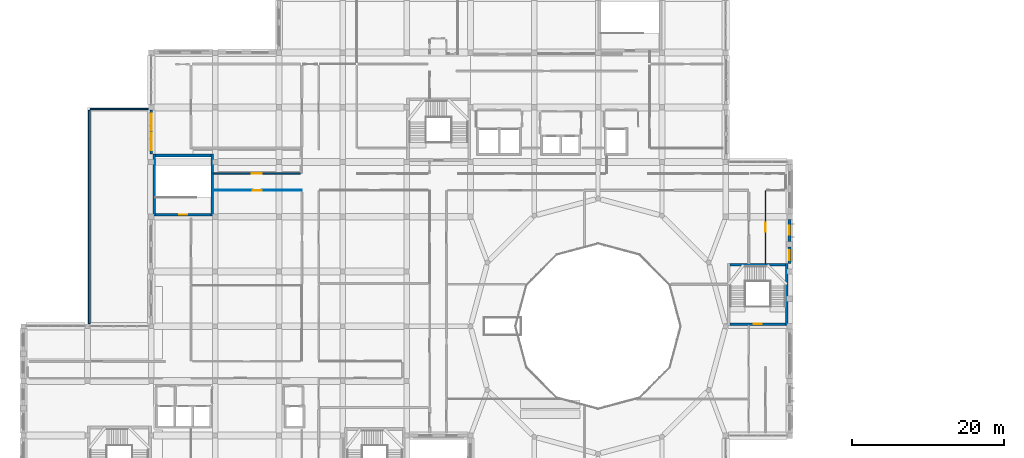
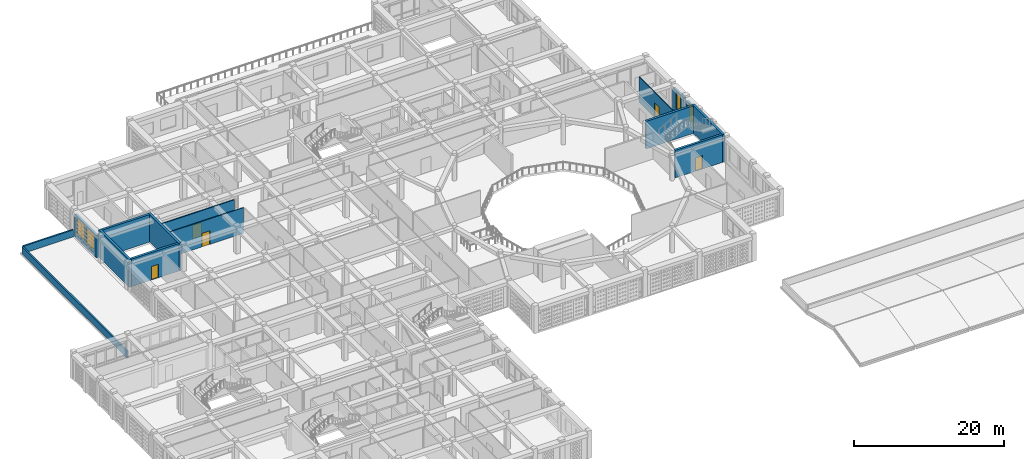
# One storey, part 46 of 79: 15 walls, 5 doors, 4 windows, 9 openings.
"""IFC4 building model written with IfcOpenShell, lengths in metres."""

from ifc_helpers import new_model, si_unit, derived_unit, direction, frame, frame_2d, origin, place, context, subcontext, project, spatial, rectangle, extrude, material, layer, layer_set, type_object, element, fill, save


model = new_model("IFC4")

# Units and contexts
model_context = context("Model", 3, precision=1e-05, world=origin(), true_north=direction((0.0, 1.0)))
body_context = subcontext(model_context, "Body", "Model", "MODEL_VIEW")
ifc_project = project(units=[si_unit("LENGTHUNIT", "METRE"), si_unit("AREAUNIT", "SQUARE_METRE"), si_unit("VOLUMEUNIT", "CUBIC_METRE"), si_unit("PLANEANGLEUNIT", "RADIAN"), si_unit("MASSUNIT", "GRAM", prefix="KILO"), derived_unit("THERMALTRANSMITTANCEUNIT", [(si_unit("POWERUNIT", "WATT"), 1), (si_unit("LENGTHUNIT", "METRE"), -2), (si_unit("THERMODYNAMICTEMPERATUREUNIT", "KELVIN"), -1)])], contexts=[model_context])

# Site, building, storey
site_placement = place(None, origin())
site = spatial("IfcSite", under=ifc_project, at=site_placement, CompositionType="ELEMENT")
building_placement = place(site_placement, origin())
building = spatial("IfcBuilding", under=site, at=building_placement, Name="Veybourne Emporium", CompositionType="ELEMENT")
storey_placement = place(building_placement, frame((0.0, 0.0, 18.89990234375)))
storey = spatial("IfcBuildingStorey", under=building, at=storey_placement, Name="L04", CompositionType="ELEMENT", Elevation=18.89990234375)

# Wall, openings, windows
ifc_material_1 = material(Name="Portland Limestone Ashlar", Category="masonry")
ifc_layer_1 = layer(ifc_material_1, 0.3798828125)
ifc_layer_set_1 = layer_set([ifc_layer_1], Name="Portland Limestone Ashlar")
wall_type_1 = type_object("IfcWallType", Name="ExtWall_EW-03", PredefinedType="SOLIDWALL", material=ifc_layer_set_1)
wall_1_placement = place(storey_placement, frame((16.800048828125, 73.070068359375, 0.0), z_axis=(0.0, 0.0, 1.0), x_axis=(0.0, 1.0, 0.0)))
wall_1 = element("IfcWall", 1, at=wall_1_placement, inside=storey, type_object=wall_type_1, Name="L04 Portland stone external wall 016", PredefinedType="SOLIDWALL", context=body_context, shape_type="SweptSolid", body=[
    extrude(rectangle(XDim=5.780029296875, YDim=0.3798828125, at=frame_2d((2.89013671875, 0.0))), origin(), (0.0, 0.0, 1.0), 3.630126953125),
])
opening_1_placement = place(wall_1_placement, frame((0.518310546875, 0.0, 0.75)))
opening_1 = element("IfcOpeningElement", 2, at=opening_1_placement, cuts=wall_1, Name="Opening W-54", PredefinedType="OPENING", context=body_context, shape_type="SweptSolid", body=[
    extrude(rectangle(XDim=2.199951171875, YDim=2.72998046875, at=frame_2d((1.10009765625, 1.364990234375))), frame((0.0, 0.2099609375, 0.0), z_axis=(0.0, -1.0, 0.0), x_axis=(1.0, 0.0, 0.0)), (0.0, 0.0, 1.0), 0.419921875),
])
opening_2_placement = place(wall_1_placement, frame((3.0615234375, 0.0, 0.75)))
opening_2 = element("IfcOpeningElement", 3, at=opening_2_placement, cuts=wall_1, Name="Opening W-55", PredefinedType="OPENING", context=body_context, shape_type="SweptSolid", body=[
    extrude(rectangle(XDim=2.199951171875, YDim=2.72998046875, at=frame_2d((1.10009765625, 1.364990234375))), frame((0.0, 0.2099609375, 0.0), z_axis=(0.0, -1.0, 0.0), x_axis=(1.0, 0.0, 0.0)), (0.0, 0.0, 1.0), 0.419921875),
])
ifc_material_2 = material(Name="Low-E Triple Glazing", Category="glass")
window_type_1 = type_object("IfcWindowType", Name="Win_W-54", PartitioningType="TRIPLE_PANEL_VERTICAL", PredefinedType="WINDOW", material=ifc_material_2)
window_1_placement = place(opening_1_placement, origin())
window_1 = element("IfcWindow", 4, at=window_1_placement, inside=storey, type_object=window_type_1, Name="L04 tripartite bronze casement window W-54 (16.1)", OverallHeight=2.72998046875, OverallWidth=2.199951171875, PartitioningType="TRIPLE_PANEL_VERTICAL", PredefinedType="WINDOW", context=body_context, shape_type="SweptSolid", body=[
    extrude(rectangle(XDim=2.199951171875, YDim=2.72998046875, at=frame_2d((1.10009765625, 1.364990234375))), frame((0.0, 0.030029296875, 0.0), z_axis=(0.0, -1.0, 0.0), x_axis=(1.0, 0.0, 0.0)), (0.0, 0.0, 1.0), 0.06005859375),
])
fill(opening_1, window_1)
window_type_2 = type_object("IfcWindowType", Name="Win_W-55", PartitioningType="TRIPLE_PANEL_VERTICAL", PredefinedType="WINDOW", material=ifc_material_2)
window_2_placement = place(opening_2_placement, origin())
window_2 = element("IfcWindow", 5, at=window_2_placement, inside=storey, type_object=window_type_2, Name="L04 tripartite bronze casement window W-55 (16.2)", OverallHeight=2.72998046875, OverallWidth=2.199951171875, PartitioningType="TRIPLE_PANEL_VERTICAL", PredefinedType="WINDOW", context=body_context, shape_type="SweptSolid", body=[
    extrude(rectangle(XDim=2.199951171875, YDim=2.72998046875, at=frame_2d((1.10009765625, 1.364990234375))), frame((0.0, 0.030029296875, 0.0), z_axis=(0.0, -1.0, 0.0), x_axis=(1.0, 0.0, 0.0)), (0.0, 0.0, 1.0), 0.06005859375),
])
fill(opening_2, window_2)

# Wall, opening, window
wall_2_placement = place(storey_placement, frame((100.800048828125, 64.449951171875, 0.0), z_axis=(0.0, 0.0, 1.0), x_axis=(0.0, -1.0, 0.0)))
wall_2 = element("IfcWall", 6, at=wall_2_placement, inside=storey, type_object=wall_type_1, Name="L04 Portland stone external wall 052A", PredefinedType="SOLIDWALL", context=body_context, shape_type="SweptSolid", body=[
    extrude(rectangle(XDim=2.8798828125, YDim=0.3798828125, at=frame_2d((1.43994140625, 0.0))), origin(), (0.0, 0.0, 1.0), 3.630126953125),
])
opening_3_placement = place(wall_2_placement, frame((0.840087890625, 0.0, 0.75)))
opening_3 = element("IfcOpeningElement", 7, at=opening_3_placement, cuts=wall_2, Name="Opening W-41", PredefinedType="OPENING", context=body_context, shape_type="SweptSolid", body=[
    extrude(rectangle(XDim=1.199951171875, YDim=2.72998046875, at=frame_2d((0.60009765625, 1.364990234375))), frame((0.0, 0.2099609375, 0.0), z_axis=(0.0, -1.0, 0.0), x_axis=(1.0, 0.0, 0.0)), (0.0, 0.0, 1.0), 0.419921875),
])
window_type_3 = type_object("IfcWindowType", Name="Win_W-41", PartitioningType="SINGLE_PANEL", PredefinedType="WINDOW", material=ifc_material_2)
window_3_placement = place(opening_3_placement, origin())
window_3 = element("IfcWindow", 8, at=window_3_placement, inside=storey, type_object=window_type_3, Name="L04 tripartite bronze casement window W-41 (52A)", OverallHeight=2.72998046875, OverallWidth=1.199951171875, PartitioningType="SINGLE_PANEL", PredefinedType="WINDOW", context=body_context, shape_type="SweptSolid", body=[
    extrude(rectangle(XDim=1.199951171875, YDim=2.72998046875, at=frame_2d((0.60009765625, 1.364990234375))), frame((0.0, 0.030029296875, 0.0), z_axis=(0.0, -1.0, 0.0), x_axis=(1.0, 0.0, 0.0)), (0.0, 0.0, 1.0), 0.06005859375),
])
fill(opening_3, window_3)

wall_3_placement = place(storey_placement, frame((100.800048828125, 60.830078125, 0.0), z_axis=(0.0, 0.0, 1.0), x_axis=(0.0, -1.0, 0.0)))
wall_3 = element("IfcWall", 9, at=wall_3_placement, inside=storey, type_object=wall_type_1, Name="L04 Portland stone external wall 052B", PredefinedType="SOLIDWALL", context=body_context, shape_type="SweptSolid", body=[
    extrude(rectangle(XDim=2.16015625, YDim=0.3798828125, at=frame_2d((1.080078125, 0.0))), origin(), (0.0, 0.0, 1.0), 3.630126953125),
])
opening_4_placement = place(wall_3_placement, frame((0.425048828125, 0.0, 0.75)))
opening_4 = element("IfcOpeningElement", 10, at=opening_4_placement, cuts=wall_3, Name="Opening W-42", PredefinedType="OPENING", context=body_context, shape_type="SweptSolid", body=[
    extrude(rectangle(XDim=1.31005859375, YDim=2.72998046875, at=frame_2d((0.655029296875, 1.364990234375))), frame((0.0, 0.2099609375, 0.0), z_axis=(0.0, -1.0, 0.0), x_axis=(1.0, 0.0, 0.0)), (0.0, 0.0, 1.0), 0.419921875),
])
window_type_4 = type_object("IfcWindowType", Name="Win_W-42", PartitioningType="DOUBLE_PANEL_VERTICAL", PredefinedType="WINDOW", material=ifc_material_2)
window_4_placement = place(opening_4_placement, origin())
window_4 = element("IfcWindow", 11, at=window_4_placement, inside=storey, type_object=window_type_4, Name="L04 tripartite bronze casement window W-42 (52B)", OverallHeight=2.72998046875, OverallWidth=1.31005859375, PartitioningType="DOUBLE_PANEL_VERTICAL", PredefinedType="WINDOW", context=body_context, shape_type="SweptSolid", body=[
    extrude(rectangle(XDim=1.31005859375, YDim=2.72998046875, at=frame_2d((0.655029296875, 1.364990234375))), frame((0.0, 0.030029296875, 0.0), z_axis=(0.0, -1.0, 0.0), x_axis=(1.0, 0.0, 0.0)), (0.0, 0.0, 1.0), 0.06005859375),
])
fill(opening_4, window_4)

# Walls
ifc_material_3 = material(Name="Precast concrete C40/50", Category="concrete")
ifc_layer_2 = layer(ifc_material_3, 0.239990234375)
ifc_layer_set_2 = layer_set([ifc_layer_2], Name="Precast concrete C40/50")
wall_type_2 = type_object("IfcWallType", Name="ExtWall_PW-02", PredefinedType="PARAPET", material=ifc_layer_set_2)
wall_4_placement = place(storey_placement, frame((8.75, 78.97998046875, 0.0), z_axis=(0.0, 0.0, 1.0), x_axis=(1.0, 0.0, 0.0)))
element("IfcWall", 12, at=wall_4_placement, inside=storey, type_object=wall_type_2, Name="L04 roof parapet wall 005", PredefinedType="PARAPET", context=body_context, shape_type="SweptSolid", body=[
    extrude(rectangle(XDim=7.699951171875, YDim=0.239990234375, at=frame_2d((3.85009765625, 0.0))), origin(), (0.0, 0.0, 1.0), 1.150146484375),
])
wall_5_placement = place(storey_placement, frame((8.6201171875, 50.75, 0.0), z_axis=(0.0, 0.0, 1.0), x_axis=(0.0, 1.0, 0.0)))
element("IfcWall", 13, at=wall_5_placement, inside=storey, type_object=wall_type_2, Name="L04 roof parapet wall 006", PredefinedType="PARAPET", context=body_context, shape_type="SweptSolid", body=[
    extrude(rectangle(XDim=28.10009765625, YDim=0.239990234375, at=frame_2d((14.050048828125, 0.0))), origin(), (0.0, 0.0, 1.0), 1.150146484375),
])

# Wall, opening, door
ifc_material_4 = material(Name="Concrete C40/50", Category="concrete")
ifc_layer_3 = layer(ifc_material_4, 0.35009765625)
ifc_layer_set_3 = layer_set([ifc_layer_3], Name="Concrete C40/50")
wall_type_3 = type_object("IfcWallType", Name="IntWall_CW-02", PredefinedType="SHEAR", material=ifc_layer_set_3)
wall_6_placement = place(storey_placement, frame((100.25, 50.675048828125, 0.0), z_axis=(0.0, 0.0, 1.0), x_axis=(-1.0, 0.0, 0.0)))
wall_6 = element("IfcWall", 14, at=wall_6_placement, inside=storey, type_object=wall_type_3, Name="Core stair ST-07 south shear wall (L04)", PredefinedType="SHEAR", context=body_context, shape_type="SweptSolid", body=[
    extrude(rectangle(XDim=7.300048828125, YDim=0.35009765625, at=frame_2d((3.64990234375, 0.0))), origin(), (0.0, 0.0, 1.0), 4.5),
])
opening_5_placement = place(wall_6_placement, frame((3.10009765625, 0.0, 0.0)))
opening_5 = element("IfcOpeningElement", 15, at=opening_5_placement, cuts=wall_6, Name="Opening FD-01", PredefinedType="OPENING", context=body_context, shape_type="SweptSolid", body=[
    extrude(rectangle(XDim=1.10009765625, YDim=2.199951171875, at=frame_2d((0.550048828125, 1.10009765625))), frame((0.0, 0.195068359375, 0.0), z_axis=(0.0, -1.0, 0.0), x_axis=(1.0, 0.0, 0.0)), (0.0, 0.0, 1.0), 0.39013671875),
])
ifc_material_5 = material(Name="Patinated Architectural Bronze", Category="bronze")
door_type_1 = type_object("IfcDoorType", Name="FireDoor_FD-01", OperationType="NOTDEFINED", PredefinedType="DOOR", material=ifc_material_5)
door_1_placement = place(opening_5_placement, origin())
door_1 = element("IfcDoor", 16, at=door_1_placement, inside=storey, type_object=door_type_1, Name="Stair ST-07 fire door (L04)", OperationType="SINGLE_SWING_RIGHT", OverallHeight=2.199951171875, OverallWidth=1.10009765625, PredefinedType="DOOR", context=body_context, shape_type="SweptSolid", body=[
    extrude(rectangle(XDim=1.10009765625, YDim=2.199951171875, at=frame_2d((0.550048828125, 1.10009765625))), frame((0.0, 0.02490234375, 0.0), z_axis=(0.0, -1.0, 0.0), x_axis=(1.0, 0.0, 0.0)), (0.0, 0.0, 1.0), 0.050048828125),
])
fill(opening_5, door_1)

# Walls
wall_7_placement = place(storey_placement, frame((92.949951171875, 58.47509765625, 0.0), z_axis=(0.0, 0.0, 1.0), x_axis=(1.0, 0.0, 0.0)))
element("IfcWall", 17, at=wall_7_placement, inside=storey, type_object=wall_type_3, Name="Core stair ST-07 north shear wall (L04)", PredefinedType="SHEAR", context=body_context, shape_type="SweptSolid", body=[
    extrude(rectangle(XDim=7.300048828125, YDim=0.35009765625, at=frame_2d((3.64990234375, 0.0))), origin(), (0.0, 0.0, 1.0), 4.5),
])
wall_8_placement = place(storey_placement, frame((100.425048828125, 50.5, 0.0), z_axis=(0.0, 0.0, 1.0), x_axis=(0.0, 1.0, 0.0)))
element("IfcWall", 18, at=wall_8_placement, inside=storey, type_object=wall_type_3, Name="Core stair ST-07 east shear wall (L04)", PredefinedType="SHEAR", context=body_context, shape_type="SweptSolid", body=[
    extrude(rectangle(XDim=8.14990234375, YDim=0.35009765625, at=frame_2d((4.074951171875, 0.0))), origin(), (0.0, 0.0, 1.0), 4.5),
])

# Wall, opening, door
wall_9_placement = place(storey_placement, frame((24.64990234375, 65.074951171875, 0.0), z_axis=(0.0, 0.0, 1.0), x_axis=(-1.0, 0.0, 0.0)))
wall_9 = element("IfcWall", 19, at=wall_9_placement, inside=storey, type_object=wall_type_3, Name="Core stair ST-08 south shear wall (L04)", PredefinedType="SHEAR", context=body_context, shape_type="SweptSolid", body=[
    extrude(rectangle(XDim=7.2998046875, YDim=0.35009765625, at=frame_2d((3.64990234375, 0.0))), origin(), (0.0, 0.0, 1.0), 4.5),
])
opening_6_placement = place(wall_9_placement, frame((3.10009765625, 0.0, 0.0)))
opening_6 = element("IfcOpeningElement", 20, at=opening_6_placement, cuts=wall_9, Name="Opening FD-01", PredefinedType="OPENING", context=body_context, shape_type="SweptSolid", body=[
    extrude(rectangle(XDim=1.10009765625, YDim=2.199951171875, at=frame_2d((0.550048828125, 1.10009765625))), frame((0.0, 0.195068359375, 0.0), z_axis=(0.0, -1.0, 0.0), x_axis=(1.0, 0.0, 0.0)), (0.0, 0.0, 1.0), 0.39013671875),
])
door_2_placement = place(opening_6_placement, origin())
door_2 = element("IfcDoor", 21, at=door_2_placement, inside=storey, type_object=door_type_1, Name="Stair ST-08 fire door (L04)", OperationType="SINGLE_SWING_LEFT", OverallHeight=2.199951171875, OverallWidth=1.10009765625, PredefinedType="DOOR", context=body_context, shape_type="SweptSolid", body=[
    extrude(rectangle(XDim=1.10009765625, YDim=2.199951171875, at=frame_2d((0.550048828125, 1.10009765625))), frame((0.0, 0.02490234375, 0.0), z_axis=(0.0, -1.0, 0.0), x_axis=(1.0, 0.0, 0.0)), (0.0, 0.0, 1.0), 0.050048828125),
])
fill(opening_6, door_2)

# Walls
wall_10_placement = place(storey_placement, frame((17.35009765625, 72.875, 0.0), z_axis=(0.0, 0.0, 1.0), x_axis=(1.0, 0.0, 0.0)))
element("IfcWall", 22, at=wall_10_placement, inside=storey, type_object=wall_type_3, Name="Core stair ST-08 north shear wall (L04)", PredefinedType="SHEAR", context=body_context, shape_type="SweptSolid", body=[
    extrude(rectangle(XDim=7.2998046875, YDim=0.35009765625, at=frame_2d((3.64990234375, 0.0))), origin(), (0.0, 0.0, 1.0), 4.5),
])
for number, where, z_axis, x_axis, name in (
    (23, (17.175048828125, 73.050048828125, 0.0), (0.0, 0.0, 1.0), (0.0, -1.0, 0.0), "Core stair ST-08 west shear wall (L04)"),
    (24, (24.824951171875, 64.89990234375, 0.0), (0.0, 0.0, 1.0), (0.0, 1.0, 0.0), "Core stair ST-08 east shear wall (L04)"),
):
    element("IfcWall", number, at=place(storey_placement, frame(where, z_axis=z_axis, x_axis=x_axis)), inside=storey, type_object=wall_type_3, Name=name, PredefinedType="SHEAR", context=body_context, shape_type="SweptSolid", body=[
        extrude(rectangle(XDim=8.150146484375, YDim=0.35009765625, at=frame_2d((4.0751953125, 0.0))), origin(), (0.0, 0.0, 1.0), 4.5),
    ])

# Wall, opening, door
ifc_material_6 = material(Name="Gypsum Acoustic Board", Category="gypsum")
ifc_layer_4 = layer(ifc_material_6, 0.179931640625)
ifc_layer_set_4 = layer_set([ifc_layer_4], Name="Gypsum Acoustic Board")
wall_type_4 = type_object("IfcWallType", Name="IntWall_IW-01", PredefinedType="PARTITIONING", material=ifc_layer_set_4)
wall_11_placement = place(storey_placement, frame((24.93994140625, 70.47998046875, 0.0), z_axis=(0.0, 0.0, 1.0), x_axis=(1.0, 0.0, 0.0)))
wall_11 = element("IfcWall", 25, at=wall_11_placement, inside=storey, type_object=wall_type_4, Name="L04 interior partition IW-01 #028", PredefinedType="PARTITIONING", context=body_context, shape_type="SweptSolid", body=[
    extrude(rectangle(XDim=11.469970703125, YDim=0.179931640625, at=frame_2d((5.73486328125, 0.0))), origin(), (0.0, 0.0, 1.0), 4.18017578125),
])
opening_7_placement = place(wall_11_placement, frame((5.054931640625, 0.0, 0.0)))
opening_7 = element("IfcOpeningElement", 26, at=opening_7_placement, cuts=wall_11, Name="Opening D-16", PredefinedType="OPENING", context=body_context, shape_type="SweptSolid", body=[
    extrude(rectangle(XDim=1.360107421875, YDim=2.2099609375, at=frame_2d((0.68017578125, 1.10498046875))), frame((0.0, 0.10986328125, 0.0), z_axis=(0.0, -1.0, 0.0), x_axis=(1.0, 0.0, 0.0)), (0.0, 0.0, 1.0), 0.219970703125),
])
ifc_material_7 = material(Name="European Oak Veneer and Bronze", Category="wood")
door_type_2 = type_object("IfcDoorType", Name="IntDoor_D-16", OperationType="NOTDEFINED", PredefinedType="DOOR", material=ifc_material_7)
door_3_placement = place(opening_7_placement, origin())
door_3 = element("IfcDoor", 27, at=door_3_placement, inside=storey, type_object=door_type_2, Name="L04 interior door D-16 (PART-L04-028)", OperationType="SINGLE_SWING_RIGHT", OverallHeight=2.2099609375, OverallWidth=1.360107421875, PredefinedType="DOOR", context=body_context, shape_type="SweptSolid", body=[
    extrude(rectangle(XDim=1.360107421875, YDim=2.2099609375, at=frame_2d((0.68017578125, 1.10498046875))), frame((0.0, 0.02490234375, 0.0), z_axis=(0.0, -1.0, 0.0), x_axis=(1.0, 0.0, 0.0)), (0.0, 0.0, 1.0), 0.050048828125),
])
fill(opening_7, door_3)

ifc_layer_5 = layer(ifc_material_6, 0.1201171875)
ifc_layer_set_5 = layer_set([ifc_layer_5], Name="Gypsum Acoustic Board")
wall_type_5 = type_object("IfcWallType", Name="IntWall_IW-03", PredefinedType="PARTITIONING", material=ifc_layer_set_5)
wall_12_placement = place(storey_placement, frame((24.93994140625, 68.27001953125, 0.0), z_axis=(0.0, 0.0, 1.0), x_axis=(1.0, 0.0, 0.0)))
wall_12 = element("IfcWall", 28, at=wall_12_placement, inside=storey, type_object=wall_type_5, Name="L04 interior partition IW-03 #027", PredefinedType="PARTITIONING", context=body_context, shape_type="SweptSolid", body=[
    extrude(rectangle(XDim=11.630126953125, YDim=0.1201171875, at=frame_2d((5.81494140625, 0.0))), origin(), (0.0, 0.0, 1.0), 4.18017578125),
])
opening_8_placement = place(wall_12_placement, frame((5.215087890625, 0.0, 0.0)))
opening_8 = element("IfcOpeningElement", 29, at=opening_8_placement, cuts=wall_12, Name="Opening D-15", PredefinedType="OPENING", context=body_context, shape_type="SweptSolid", body=[
    extrude(rectangle(XDim=1.199951171875, YDim=2.2099609375, at=frame_2d((0.60009765625, 1.10498046875))), frame((0.0, 0.080078125, 0.0), z_axis=(0.0, -1.0, 0.0), x_axis=(1.0, 0.0, 0.0)), (0.0, 0.0, 1.0), 0.16015625),
])
door_type_3 = type_object("IfcDoorType", Name="IntDoor_D-15", OperationType="NOTDEFINED", PredefinedType="DOOR", material=ifc_material_7)
door_4_placement = place(opening_8_placement, origin())
door_4 = element("IfcDoor", 30, at=door_4_placement, inside=storey, type_object=door_type_3, Name="L04 interior door D-15 (PART-L04-027)", OperationType="SINGLE_SWING_LEFT", OverallHeight=2.2099609375, OverallWidth=1.199951171875, PredefinedType="DOOR", context=body_context, shape_type="SweptSolid", body=[
    extrude(rectangle(XDim=1.199951171875, YDim=2.2099609375, at=frame_2d((0.60009765625, 1.10498046875))), frame((0.0, 0.02490234375, 0.0), z_axis=(0.0, -1.0, 0.0), x_axis=(1.0, 0.0, 0.0)), (0.0, 0.0, 1.0), 0.050048828125),
])
fill(opening_8, door_4)

wall_13_placement = place(storey_placement, frame((97.6298828125, 58.590087890625, 0.0), z_axis=(0.0, 0.0, 1.0), x_axis=(0.0, 1.0, 0.0)))
wall_13 = element("IfcWall", 31, at=wall_13_placement, inside=storey, type_object=wall_type_5, Name="L04 interior partition IW-03 #045", PredefinedType="PARTITIONING", context=body_context, shape_type="SweptSolid", body=[
    extrude(rectangle(XDim=9.6298828125, YDim=0.1201171875, at=frame_2d((4.81494140625, 0.0))), origin(), (0.0, 0.0, 1.0), 4.18017578125),
])
opening_9_placement = place(wall_13_placement, frame((4.215087890625, 0.0, 0.0)))
opening_9 = element("IfcOpeningElement", 32, at=opening_9_placement, cuts=wall_13, Name="Opening D-33", PredefinedType="OPENING", context=body_context, shape_type="SweptSolid", body=[
    extrude(rectangle(XDim=1.199951171875, YDim=2.449951171875, at=frame_2d((0.60009765625, 1.22509765625))), frame((0.0, 0.080078125, 0.0), z_axis=(0.0, -1.0, 0.0), x_axis=(1.0, 0.0, 0.0)), (0.0, 0.0, 1.0), 0.16015625),
])
door_type_4 = type_object("IfcDoorType", Name="IntDoor_D-33", OperationType="NOTDEFINED", PredefinedType="DOOR", material=ifc_material_7)
door_5_placement = place(opening_9_placement, origin())
door_5 = element("IfcDoor", 33, at=door_5_placement, inside=storey, type_object=door_type_4, Name="L04 interior door D-33 (PART-L04-045)", OperationType="SINGLE_SWING_LEFT", OverallHeight=2.449951171875, OverallWidth=1.199951171875, PredefinedType="DOOR", context=body_context, shape_type="SweptSolid", body=[
    extrude(rectangle(XDim=1.199951171875, YDim=2.449951171875, at=frame_2d((0.60009765625, 1.22509765625))), frame((0.0, 0.02490234375, 0.0), z_axis=(0.0, -1.0, 0.0), x_axis=(1.0, 0.0, 0.0)), (0.0, 0.0, 1.0), 0.050048828125),
])
fill(opening_9, door_5)

save(model, "model.ifc")
